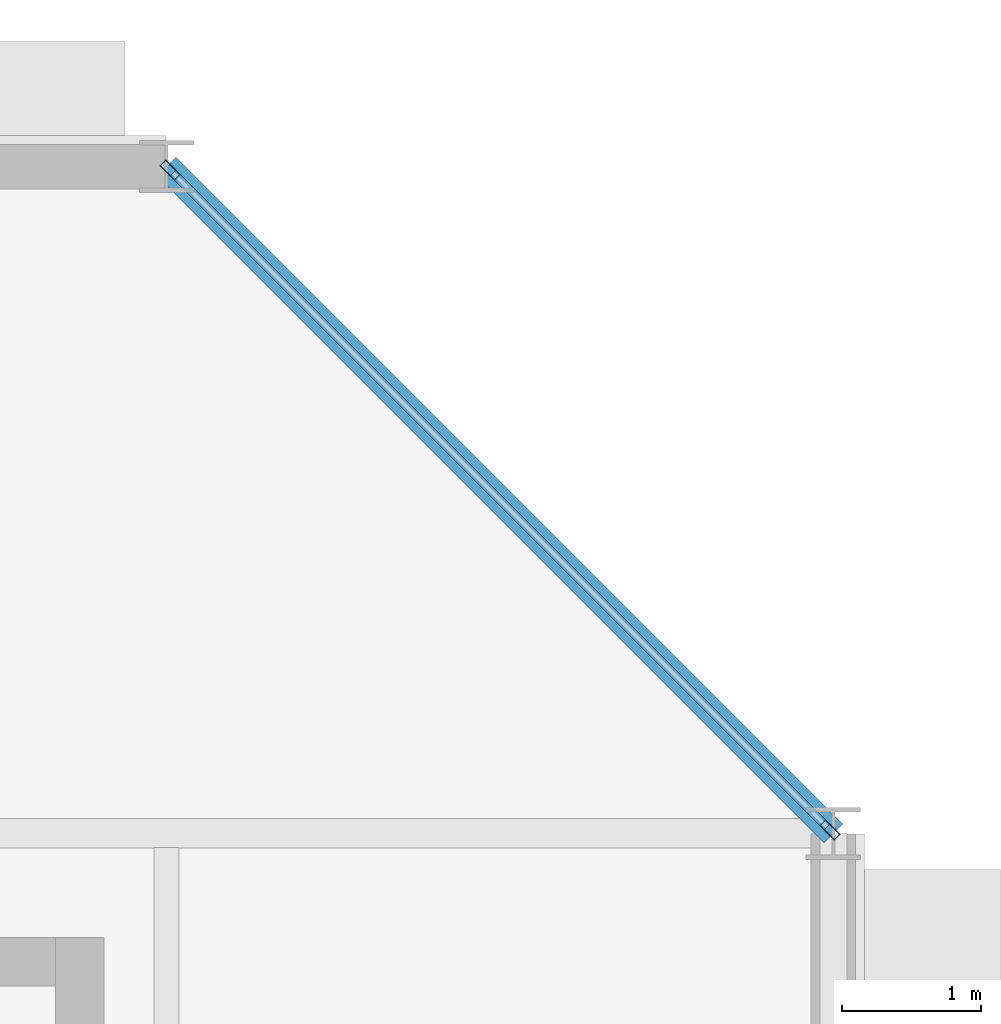
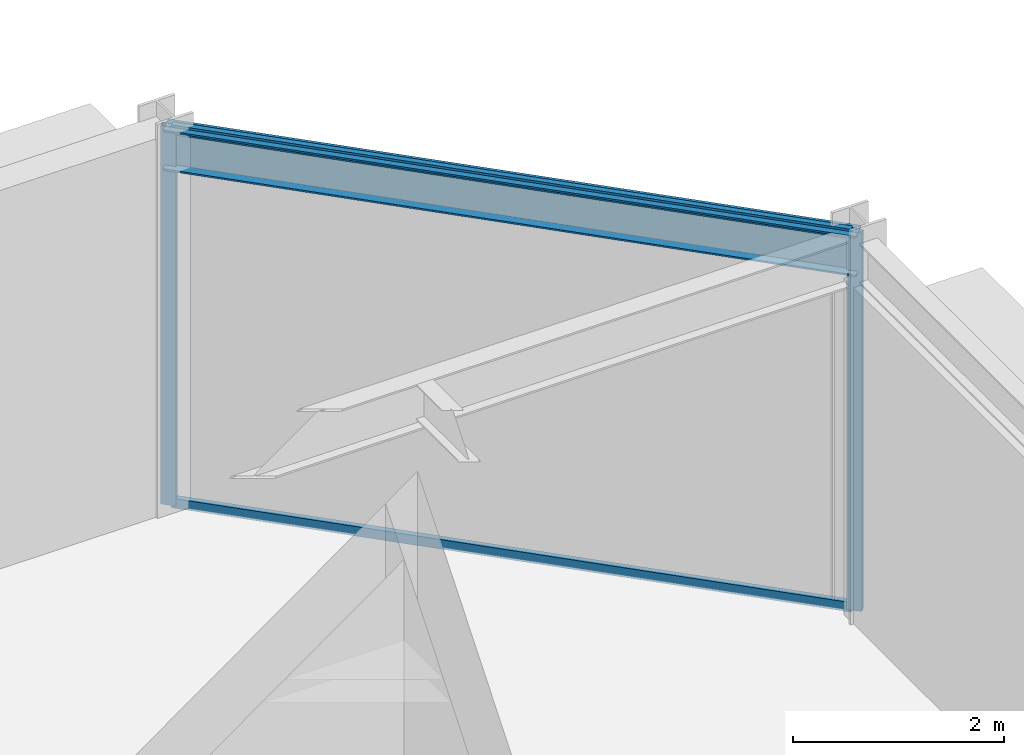
# One storey, part 72 of 157: 4 members, 1 beam, 1 element without a shape of its own.
"""IFC4 building model written with IfcOpenShell, lengths in metres."""

from ifc_helpers import new_model, si_unit, direction, frame, origin, origin_2d, place, context, subcontext, project, spatial, hollow_rectangle, i_section, extrude, material, material_profile, profile_set, type_object, element, aggregate, save


model = new_model("IFC4")

# Units and contexts
model_context = context("Model", 3, precision=1e-05, world=origin(), true_north=direction((0.0, 1.0)))
body_context = subcontext(model_context, "Body", "Model", "MODEL_VIEW")
ifc_project = project(units=[si_unit("LENGTHUNIT", "METRE"), si_unit("AREAUNIT", "SQUARE_METRE"), si_unit("VOLUMEUNIT", "CUBIC_METRE"), si_unit("PLANEANGLEUNIT", "RADIAN"), si_unit("MASSUNIT", "GRAM", prefix="KILO")], contexts=[model_context])

# Site, building, storey
site_placement = place(None, origin())
site = spatial("IfcSite", under=ifc_project, at=site_placement, CompositionType="ELEMENT")
building_placement = place(site_placement, origin())
building = spatial("IfcBuilding", under=site, at=building_placement, Name="Almandine Court Research Institute", CompositionType="ELEMENT")
storey_placement = place(building_placement, frame((0.0, 0.0, 5.25)))
storey = spatial("IfcBuildingStorey", under=building, at=storey_placement, Name="L01", CompositionType="ELEMENT", Elevation=5.25)

# Beam
ifc_material_1 = material(Name="Steel ASTM A992 Grade 50", Category="steel")
ifc_material_profile_1 = material_profile(ifc_material_1, i_section(OverallWidth=0.193115234375, OverallDepth=0.466064453125, WebThickness=0.010986328125, FlangeThickness=0.01904296875, at=origin_2d()), Name="W460x97")
ifc_profile_set_1 = profile_set([ifc_material_profile_1], Name="Steel ASTM A992 Grade 50")
beam_type = type_object("IfcBeamType", Name="Beam-G-06-E", PredefinedType="SPANDREL", material=ifc_profile_set_1)
beam_placement = place(storey_placement, frame((34.800048828125, 112.800048828125, 4.136962890625), z_axis=(-0.707106781187, 0.707106781187, 0.0), x_axis=(-0.707106781187, -0.707106781187, 0.0)))
element("IfcBeam", 1, at=beam_placement, inside=storey, type_object=beam_type, Name="L01 V3 Octagonal Chamfer Spandrel", PredefinedType="SPANDREL", context=body_context, shape_type="SweptSolid", body=[
    extrude(i_section(OverallWidth=0.193115234375, OverallDepth=0.466064453125, WebThickness=0.010986328125, FlangeThickness=0.01904296875, at=origin_2d()), origin(), (0.0, 0.0, 1.0), 6.788330078125),
])

# Curtain wall, members
ifc_material_2 = material(Name="Unitised Curtain Wall Framing and Solar Glazing", Category="glass")
curtain_wall_type = type_object("IfcCurtainWallType", Name="CW-CWG-05", PredefinedType="USERDEFINED", material=ifc_material_2)
curtain_wall_placement = place(storey_placement, origin())
curtain_wall = element("IfcCurtainWall", 2, at=curtain_wall_placement, inside=storey, type_object=curtain_wall_type, Name="L01 Cleanroom NE Chamfer Glazing", ObjectType="UNITISED GLAZING", PredefinedType="USERDEFINED")
ifc_material_3 = material(Name="Anodised Aluminium AW-6063-T6", Category="aluminium")
ifc_material_profile_2 = material_profile(ifc_material_3, hollow_rectangle(XDim=0.06005859375, YDim=0.14990234375, WallThickness=0.00390625, at=origin_2d()), Name="ALU RHS 60x150x4")
ifc_profile_set_2 = profile_set([ifc_material_profile_2], Name="Anodised Aluminium AW-6063-T6")
member_type_1 = type_object("IfcMemberType", Name="CWMul-60x150", PredefinedType="MULLION", material=ifc_profile_set_2)
member_1_placement = place(storey_placement, frame((30.025146484375, 117.57470703125, 0.0), z_axis=(0.0, 0.0, 1.0), x_axis=(0.707106781187, 0.707106781187, 0.0)))
member_1 = element("IfcMember", 3, at=member_1_placement, type_object=member_type_1, Name="CWG-05 mullion 1", PredefinedType="MULLION", context=body_context, shape_type="SweptSolid", body=[
    extrude(hollow_rectangle(XDim=0.06005859375, YDim=0.14990234375, WallThickness=0.00390625, at=origin_2d()), origin(), (0.0, 0.0, 1.0), 4.3701171875),
])
member_2_placement = place(storey_placement, frame((34.77490234375, 112.8251953125, 0.0), z_axis=(0.0, 0.0, 1.0), x_axis=(0.707106781187, 0.707106781187, 0.0)))
member_2 = element("IfcMember", 4, at=member_2_placement, type_object=member_type_1, Name="CWG-05 mullion 2", PredefinedType="MULLION", context=body_context, shape_type="SweptSolid", body=[
    extrude(hollow_rectangle(XDim=0.06005859375, YDim=0.14990234375, WallThickness=0.00390625, at=origin_2d()), origin(), (0.0, 0.0, 1.0), 4.3701171875),
])
ifc_material_profile_3 = material_profile(ifc_material_3, hollow_rectangle(XDim=0.06005859375, YDim=0.110107421875, WallThickness=0.00390625, at=origin_2d()), Name="ALU RHS 60x110x4")
ifc_profile_set_3 = profile_set([ifc_material_profile_3], Name="Anodised Aluminium AW-6063-T6")
member_type_2 = type_object("IfcMemberType", Name="CWTrn-60x110", PredefinedType="NOTDEFINED", material=ifc_profile_set_3)
member_3_placement = place(storey_placement, frame((30.04638671875, 117.553466796875, 0.030029296875), z_axis=(0.707125118305, -0.707088443593, 0.0), x_axis=(0.707088443593, 0.707125118305, 0.0)))
member_3 = element("IfcMember", 5, at=member_3_placement, type_object=member_type_2, Name="CWG-05 transom 1.1", ObjectType="TRANSOM", PredefinedType="USERDEFINED", context=body_context, shape_type="SweptSolid", body=[
    extrude(hollow_rectangle(XDim=0.06005859375, YDim=0.110107421875, WallThickness=0.00390625, at=origin_2d()), origin(), (0.0, 0.0, 1.0), 6.656982421875),
])
member_4_placement = place(storey_placement, frame((30.04638671875, 117.553466796875, 4.340087890625), z_axis=(0.707125118305, -0.707088443593, 0.0), x_axis=(0.707088443593, 0.707125118305, 0.0)))
member_4 = element("IfcMember", 6, at=member_4_placement, type_object=member_type_2, Name="CWG-05 transom 1.2", ObjectType="TRANSOM", PredefinedType="USERDEFINED", context=body_context, shape_type="SweptSolid", body=[
    extrude(hollow_rectangle(XDim=0.06005859375, YDim=0.110107421875, WallThickness=0.00390625, at=origin_2d()), origin(), (0.0, 0.0, 1.0), 6.656982421875),
])
aggregate(curtain_wall, [member_1, member_2, member_3, member_4])

save(model, "model.ifc")
